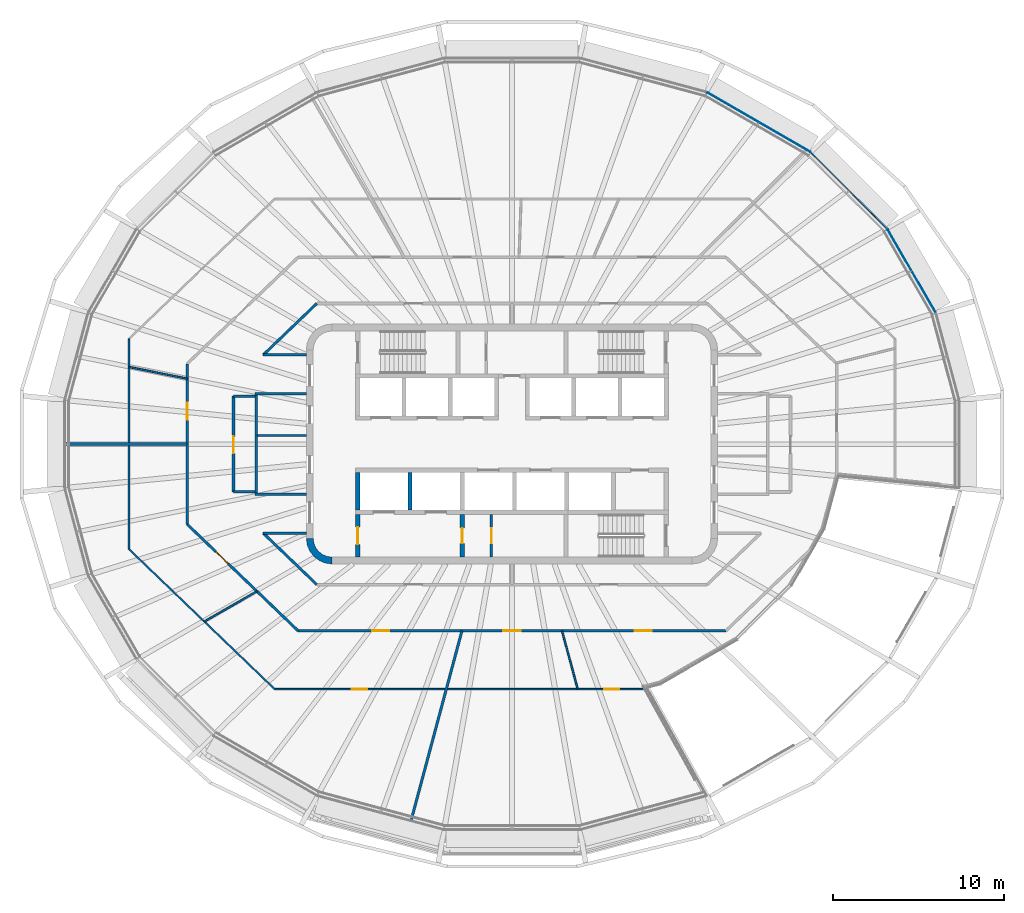
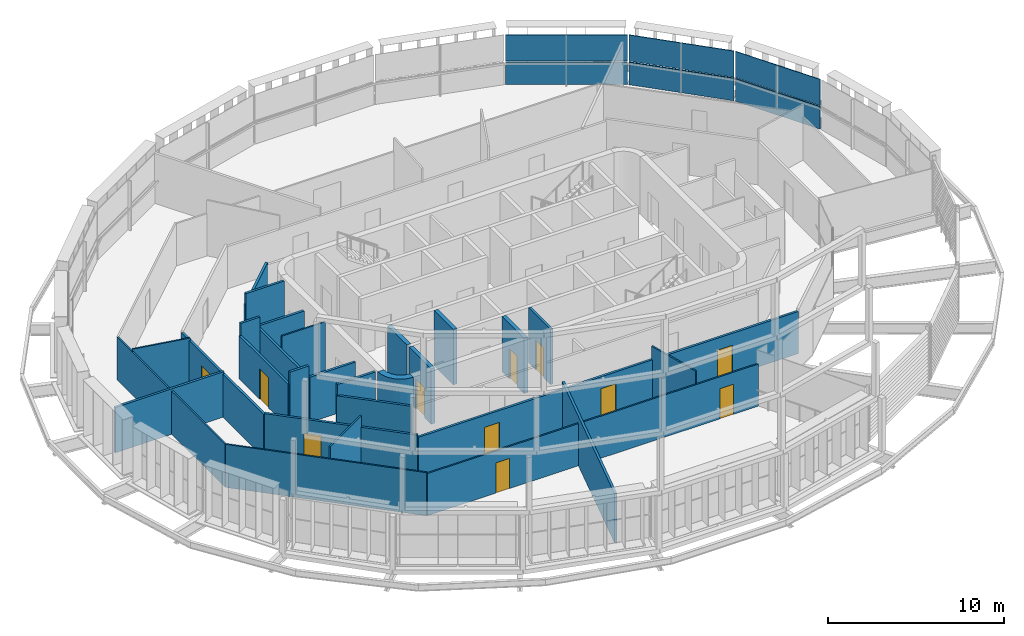
# One storey, part 8 of 18: 28 walls, 11 doors, 6 plates, 11 openings, 3 elements without a shape of their own.
"""IFC4 building model written with IfcOpenShell, lengths in metres."""

import ifcopenshell
import ifcopenshell.guid

model = None  # the IFC model being written
_history = None  # IfcOwnerHistory: only IFC2X3 demands one
_inside = {}  # id of a spatial element -> (the spatial element, [elements in it])
_under = {}  # id of a project, library or spatial element -> (it, [spatial elements below it])
_declared = {}  # id of a project -> (the project, [libraries it declares])
_typed = {}  # id of a type object -> (the type object, [elements of that type])
_made_of = {}  # id of a material, layer set ... -> (it, [elements and type objects made of it])


def new_model(schema):
    """Start an empty IFC model of exactly this schema.

    Asked for "IFC4X3", IfcOpenShell would pick the latest addendum, in which some entities
    have other attributes; the version numbers below select the first issue.
    IFC2X3 requires an IfcOwnerHistory on every rooted entity: one is made here for all.
    """
    global model, _history
    if schema == "IFC4X3":
        model = ifcopenshell.file(schema_version=(4, 3, 0, 0))
    else:
        model = ifcopenshell.file(schema=schema)
    _inside.clear()
    _under.clear()
    _declared.clear()
    _typed.clear()
    _made_of.clear()
    _history = None
    if model.schema == "IFC2X3":
        org = make("IfcOrganization", Name="unknown")
        user = make(
            "IfcPersonAndOrganization",
            ThePerson=make("IfcPerson", FamilyName="unknown"),
            TheOrganization=org,
        )
        app = make(
            "IfcApplication",
            ApplicationDeveloper=org,
            Version="unknown",
            ApplicationFullName="unknown",
            ApplicationIdentifier="unknown",
        )
        _history = make(
            "IfcOwnerHistory",
            OwningUser=user,
            OwningApplication=app,
            ChangeAction="ADDED",
            CreationDate=0,
        )
    return model


def make(cls, **values):
    """One entity of the class cls with the attributes given. An attribute that is None is left unset."""
    return model.create_entity(
        cls, **{name: value for name, value in values.items() if value is not None}
    )


def rooted(cls, **values):
    """An entity with a GlobalId (a new one), such as an element, a storey or a relation."""
    return make(cls, GlobalId=ifcopenshell.guid.new(), OwnerHistory=_history, **values)


def si_unit(unit_type, name, prefix=None):
    """IfcSIUnit, for example si_unit("LENGTHUNIT", "METRE", prefix="MILLI")."""
    return make("IfcSIUnit", UnitType=unit_type, Prefix=prefix, Name=name)


def assignment(units):
    """IfcUnitAssignment: the units of a project."""
    return None if units is None else make("IfcUnitAssignment", Units=units)


def point(xyz):
    """IfcCartesianPoint."""
    return None if xyz is None else make("IfcCartesianPoint", Coordinates=xyz)


def direction(xyz):
    """IfcDirection."""
    return None if xyz is None else make("IfcDirection", DirectionRatios=xyz)


def frame(location, z_axis=None, x_axis=None):
    """IfcAxis2Placement3D, a coordinate frame: its origin and axes. An axis left out is left unset."""
    return make(
        "IfcAxis2Placement3D",
        Location=point(location),
        Axis=direction(z_axis),
        RefDirection=direction(x_axis),
    )


def frame_2d(location, x_axis=None):
    """IfcAxis2Placement2D, a coordinate frame in the plane: its origin and x axis."""
    return make(
        "IfcAxis2Placement2D", Location=point(location), RefDirection=direction(x_axis)
    )


def origin():
    """The frame at (0, 0, 0) with its axes left unset."""
    return frame((0.0, 0.0, 0.0))


def place(relative_to, where):
    """IfcLocalPlacement: puts the frame where relative to a parent placement (None: the world)."""
    return make(
        "IfcLocalPlacement", PlacementRelTo=relative_to, RelativePlacement=where
    )


def context(
    kind, dimensions, precision=None, world=None, true_north=None, identifier=None
):
    """IfcGeometricRepresentationContext, for example the 3D "Model" context."""
    return make(
        "IfcGeometricRepresentationContext",
        ContextIdentifier=identifier,
        ContextType=kind,
        CoordinateSpaceDimension=dimensions,
        Precision=precision,
        WorldCoordinateSystem=world,
        TrueNorth=true_north,
    )


def subcontext(parent, identifier, kind, view, scale=None):
    """IfcGeometricRepresentationSubContext, for example "Body" below "Model"."""
    return make(
        "IfcGeometricRepresentationSubContext",
        ContextIdentifier=identifier,
        ContextType=kind,
        ParentContext=parent,
        TargetScale=scale,
        TargetView=view,
    )


def project(units=None, contexts=None):
    """IfcProject with its units and contexts."""
    return rooted(
        "IfcProject",
        Name="project",
        RepresentationContexts=contexts,
        UnitsInContext=assignment(units),
    )


def spatial(cls, under=None, at=None, **own):
    """A site, building, storey or space (cls), placed at a placement, below another one or the project."""
    s = rooted(cls, ObjectPlacement=at, **own)
    if under is not None:
        _under.setdefault(under.id(), (under, []))[1].append(s)
    return s


def polyline(points):
    """IfcPolyline through the points."""
    return make("IfcPolyline", Points=[point(p) for p in points])


def profile(cls, at=None, kind="AREA", **sizes):
    """A parametric profile (cls). Its sizes go by their IFC names, for example OverallWidth=200.0."""
    return make(cls, ProfileType=kind, Position=at, **sizes)


def rectangle(**sizes):
    """IfcRectangleProfileDef."""
    return profile("IfcRectangleProfileDef", **sizes)


def outline(outer, holes=None, kind="AREA"):
    """IfcArbitraryClosedProfileDef: a profile drawn as a closed curve; with holes, ...WithVoids."""
    if holes is None:
        return make("IfcArbitraryClosedProfileDef", ProfileType=kind, OuterCurve=outer)
    return make(
        "IfcArbitraryProfileDefWithVoids",
        ProfileType=kind,
        OuterCurve=outer,
        InnerCurves=holes,
    )


def extrude(swept, where, along, depth):
    """IfcExtrudedAreaSolid: the profile swept, set in the frame where, extruded along a direction by depth."""
    return make(
        "IfcExtrudedAreaSolid",
        SweptArea=swept,
        Position=where,
        ExtrudedDirection=direction(along),
        Depth=depth,
    )


def shape(context_of_items, identifier, shape_type, items):
    """IfcShapeRepresentation: the items that make up one representation, for example the "Body"."""
    return make(
        "IfcShapeRepresentation",
        ContextOfItems=context_of_items,
        RepresentationIdentifier=identifier,
        RepresentationType=shape_type,
        Items=items,
    )


def material(Name=None, Category=None):
    """IfcMaterial."""
    return make("IfcMaterial", Name=Name, Category=Category)


def layer(
    of_material, thickness, ventilated=None, Name=None, Category=None, Priority=None
):
    """IfcMaterialLayer: one layer of a wall or slab, of a material (None: an air gap)."""
    return make(
        "IfcMaterialLayer",
        Material=of_material,
        LayerThickness=thickness,
        IsVentilated=ventilated,
        Name=Name,
        Category=Category,
        Priority=Priority,
    )


def layer_set(layers, Name=None):
    """IfcMaterialLayerSet."""
    return make("IfcMaterialLayerSet", MaterialLayers=layers, LayerSetName=Name)


def made_of(thing, what):
    """Note that an element or type object is made of a material, layer set ...; save() writes the relation."""
    if what is not None:
        _made_of.setdefault(what.id(), (what, []))[1].append(thing)
    return thing


def type_object(cls, material=None, **own):
    """A type object (cls), such as IfcWallType, which elements share."""
    return made_of(rooted(cls, **own), material)


def element(
    cls,
    number,
    at=None,
    inside=None,
    cuts=None,
    type_object=None,
    material=None,
    context=None,
    identifier="Body",
    shape_type=None,
    held_by="IfcProductDefinitionShape",
    body=None,
    shapes=None,
    **own,
):
    """One element of the class cls, such as IfcWall. Its Tag is "e" and its number.

    at: its placement. inside: the storey or other place that contains it. cuts: it is an
    opening in that element (IfcRelVoidsElement). A single representation is given by context,
    identifier, shape_type and body (its items); several are given by shapes. held_by: the class
    of the entity that holds the representations. save() writes the other relations.
    """
    e = rooted(cls, Tag="e%d" % number, ObjectPlacement=at, **own)
    if body is not None:
        shapes = [shape(context, identifier, shape_type, body)]
    if shapes is not None:
        e.Representation = make(held_by, Representations=shapes)
    if inside is not None:
        _inside.setdefault(inside.id(), (inside, []))[1].append(e)
    if cuts is not None:
        rooted(
            "IfcRelVoidsElement", RelatingBuildingElement=cuts, RelatedOpeningElement=e
        )
    if type_object is not None:
        _typed.setdefault(type_object.id(), (type_object, []))[1].append(e)
    return made_of(e, material)


def fill(opening, filler):
    """IfcRelFillsElement: the door or window that sits in an opening."""
    return rooted(
        "IfcRelFillsElement",
        RelatingOpeningElement=opening,
        RelatedBuildingElement=filler,
    )


def aggregate(whole, parts):
    """IfcRelAggregates: a whole, such as a stair, and the parts it consists of."""
    return rooted("IfcRelAggregates", RelatingObject=whole, RelatedObjects=parts)


def save(model, path):
    """Write the relations noted so far, then the file.

    IfcRelAggregates (storeys below a building ...), IfcRelContainedInSpatialStructure (elements
    in a storey), IfcRelDefinesByType, IfcRelAssociatesMaterial and IfcRelDeclares: one each for
    every whole, place, type object, material and project.
    """
    for whole, parts in _under.values():
        aggregate(whole, parts)
    for where, things in _inside.values():
        rooted(
            "IfcRelContainedInSpatialStructure",
            RelatedElements=things,
            RelatingStructure=where,
        )
    for kind, things in _typed.values():
        rooted("IfcRelDefinesByType", RelatedObjects=things, RelatingType=kind)
    for what, things in _made_of.values():
        rooted("IfcRelAssociatesMaterial", RelatedObjects=things, RelatingMaterial=what)
    for by, libraries in _declared.values():
        rooted("IfcRelDeclares", RelatingContext=by, RelatedDefinitions=libraries)
    model.write(path)


model = new_model("IFC4")

# Units and contexts
model_context = context("Model", 3, precision=1e-05, world=origin(), true_north=direction((0.0, 1.0)))
body_context = subcontext(model_context, "Body", "Model", "MODEL_VIEW")
ifc_project = project(units=[si_unit("LENGTHUNIT", "METRE"), si_unit("AREAUNIT", "SQUARE_METRE"), si_unit("VOLUMEUNIT", "CUBIC_METRE"), si_unit("PLANEANGLEUNIT", "RADIAN"), si_unit("MASSUNIT", "GRAM", prefix="KILO")], contexts=[model_context])

# Site, building, storey
site_placement = place(None, origin())
site = spatial("IfcSite", under=ifc_project, at=site_placement, CompositionType="ELEMENT")
building_placement = place(site_placement, origin())
building = spatial("IfcBuilding", under=site, at=building_placement, Name="Sahrelin Media Tower", CompositionType="ELEMENT")
storey_placement = place(building_placement, frame((0.0, 0.0, 308.39990234375)))
storey = spatial("IfcBuildingStorey", under=building, at=storey_placement, Name="L68", CompositionType="ELEMENT", Elevation=308.39990234375)

# Curtain wall, plate
ifc_material_1 = material(Name="Champagne anodised aluminium 6063-T6", Category="aluminium")
ifc_layer_1 = layer(ifc_material_1, 0.14990234375)
ifc_layer_set_1 = layer_set([ifc_layer_1], Name="Tower ribbon curtain wall")
curtain_wall_type = type_object("IfcCurtainWallType", Name="Tower ribbon curtain wall", PredefinedType="NOTDEFINED", material=ifc_layer_set_1)
curtain_wall_1_placement = place(storey_placement, frame((23.31787109375, 10.11181640625, 0.0), z_axis=(0.0, 0.0, 1.0), x_axis=(1.0, 0.0, 0.0)))
curtain_wall_1 = element("IfcCurtainWall", 1, at=curtain_wall_1_placement, inside=storey, type_object=curtain_wall_type, Name="L68:CW:L68-02", PredefinedType="NOTDEFINED")
ifc_material_2 = material(Name="Clear low-iron glazing", Category="glass")
ifc_layer_2 = layer(ifc_material_2, 0.048095703125)
ifc_layer_set_2 = layer_set([ifc_layer_2], Name="Glazing panel 48 mm CW1C")
plate_type_1 = type_object("IfcPlateType", Name="Glazing panel 48 mm CW1C", PredefinedType="CURTAIN_PANEL", material=ifc_layer_set_2)
plate_1_placement = place(storey_placement, frame((24.726806640625, 7.711669921875, 1.630126953125), z_axis=(0.866021245731, 0.500007201891, 0.0), x_axis=(-0.500007201891, 0.866021245731, 0.0)))
plate_1 = element("IfcPlate", 2, at=plate_1_placement, type_object=plate_type_1, Name="L68:CWP2:L68-02", PredefinedType="CURTAIN_PANEL", context=body_context, shape_type="SweptSolid", body=[
    extrude(outline(polyline([(0.0, 0.0), (5.56640625, 0.0), (5.56640625, 1.818603515625), (0.0, 1.818603515625), (0.0, 0.0)])), origin(), (0.0, 0.0, -1.0), 0.048095703125),
])

curtain_wall_2_placement = place(storey_placement, frame((19.677490234375, 14.789306640625, 0.0), z_axis=(0.0, 0.0, 1.0), x_axis=(1.0, 0.0, 0.0)))
curtain_wall_2 = element("IfcCurtainWall", 3, at=curtain_wall_2_placement, inside=storey, type_object=curtain_wall_type, Name="L68:CW:L68-03", PredefinedType="NOTDEFINED")
plate_2_placement = place(storey_placement, frame((21.880126953125, 12.614990234375, 1.630126953125), z_axis=(0.707106781187, 0.707106781187, 0.0), x_axis=(-0.707106781187, 0.707106781187, 0.0)))
plate_2 = element("IfcPlate", 4, at=plate_2_placement, type_object=plate_type_1, Name="L68:CWP2:L68-03", PredefinedType="CURTAIN_PANEL", context=body_context, shape_type="SweptSolid", body=[
    extrude(outline(polyline([(0.0, 0.0), (6.190185546875, 0.0), (6.190185546875, 1.818603515625), (0.0, 1.818603515625), (0.0, 0.0)])), origin(), (0.0, 0.0, -1.0), 0.048095703125),
])

curtain_wall_3_placement = place(storey_placement, frame((14.408935546875, 18.771240234375, 0.0), z_axis=(0.0, 0.0, 1.0), x_axis=(1.0, 0.0, 0.0)))
curtain_wall_3 = element("IfcCurtainWall", 5, at=curtain_wall_3_placement, inside=storey, type_object=curtain_wall_type, Name="L68:CW:L68-04", PredefinedType="NOTDEFINED")
plate_3_placement = place(storey_placement, frame((17.420166015625, 17.0556640625, 1.630126953125), z_axis=(0.49999178238, 0.866030148178, 0.0), x_axis=(-0.866030148178, 0.49999178238, 0.0)))
plate_3 = element("IfcPlate", 6, at=plate_3_placement, type_object=plate_type_1, Name="L68:CWP2:L68-04", PredefinedType="CURTAIN_PANEL", context=body_context, shape_type="SweptSolid", body=[
    extrude(outline(polyline([(0.0, 0.0), (6.93115234375, 0.0), (6.93115234375, 1.818603515625), (0.0, 1.818603515625), (0.0, 0.0)])), origin(), (0.0, 0.0, -1.0), 0.048095703125),
])

# Plate
ifc_material_3 = material(Name="Insulated spandrel panel")
ifc_layer_3 = layer(ifc_material_3, 0.06005859375)
ifc_layer_set_3 = layer_set([ifc_layer_3], Name="Spandrel panel 60 mm CW1")
plate_type_2 = type_object("IfcPlateType", Name="Spandrel panel 60 mm CW1", PredefinedType="SHEET", material=ifc_layer_set_3)
plate_4_placement = place(storey_placement, frame((24.726806640625, 7.711669921875, 0.0), z_axis=(0.866021245731, 0.500007201891, 0.0), x_axis=(-0.500007201891, 0.866021245731, 0.0)))
plate_4 = element("IfcPlate", 7, at=plate_4_placement, type_object=plate_type_2, Name="L68:CWP1:L68-02", PredefinedType="SHEET", context=body_context, shape_type="SweptSolid", body=[
    extrude(outline(polyline([(0.0, 0.0), (5.56640625, 0.0), (5.56640625, 1.570068359375), (0.0, 1.570068359375), (0.0, 0.0)])), origin(), (0.0, 0.0, -1.0), 0.06005859375),
])

aggregate(curtain_wall_1, [plate_4, plate_1])

plate_5_placement = place(storey_placement, frame((21.880126953125, 12.614990234375, 0.0), z_axis=(0.707106781187, 0.707106781187, 0.0), x_axis=(-0.707106781187, 0.707106781187, 0.0)))
plate_5 = element("IfcPlate", 8, at=plate_5_placement, type_object=plate_type_2, Name="L68:CWP1:L68-03", PredefinedType="SHEET", context=body_context, shape_type="SweptSolid", body=[
    extrude(outline(polyline([(0.0, 0.0), (6.190185546875, 0.0), (6.190185546875, 1.570068359375), (0.0, 1.570068359375), (0.0, 0.0)])), origin(), (0.0, 0.0, -1.0), 0.06005859375),
])

aggregate(curtain_wall_2, [plate_5, plate_2])

plate_6_placement = place(storey_placement, frame((17.420166015625, 17.0556640625, 0.0), z_axis=(0.49999178238, 0.866030148178, 0.0), x_axis=(-0.866030148178, 0.49999178238, 0.0)))
plate_6 = element("IfcPlate", 9, at=plate_6_placement, type_object=plate_type_2, Name="L68:CWP1:L68-04", PredefinedType="SHEET", context=body_context, shape_type="SweptSolid", body=[
    extrude(outline(polyline([(0.0, 0.0), (6.93115234375, 0.0), (6.93115234375, 1.570068359375), (0.0, 1.570068359375), (0.0, 0.0)])), origin(), (0.0, 0.0, -1.0), 0.06005859375),
])

aggregate(curtain_wall_3, [plate_6, plate_3])

# Walls
ifc_material_4 = material(Name="Concrete C60/75", Category="concrete")
ifc_layer_4 = layer(ifc_material_4, 0.39990234375)
ifc_layer_set_4 = layer_set([ifc_layer_4], Name="Core wall 400")
wall_type_1 = type_object("IfcWallType", Name="Core wall 400", PredefinedType="SHEAR", material=ifc_layer_set_4)
wall_1_placement = place(storey_placement, origin())
element("IfcWall", 10, at=wall_1_placement, inside=storey, type_object=wall_type_1, Name="Core wall corner SW L68", PredefinedType="SHEAR", context=body_context, shape_type="SweptSolid", body=[
    extrude(outline(polyline([(-10.5, -7.0), (-10.5, -6.596435546875), (-10.78369140625, -6.55908203125), (-11.04833984375, -6.44970703125), (-11.275390625, -6.275390625), (-11.44970703125, -6.04833984375), (-11.55908203125, -5.78369140625), (-11.596435546875, -5.5), (-12.0, -5.5), (-11.948974609375, -5.88818359375), (-11.799072265625, -6.25), (-11.560791015625, -6.560791015625), (-11.25, -6.799072265625), (-10.88818359375, -6.948974609375), (-10.5, -7.0)])), origin(), (0.0, 0.0, 1.0), 4.0),
])
ifc_material_5 = material(Name="Fire-rated gypsum board partition")
ifc_layer_5 = layer(ifc_material_5, 0.10009765625)
ifc_layer_set_5 = layer_set([ifc_layer_5], Name="Fire-rated partition 100")
wall_type_2 = type_object("IfcWallType", Name="Fire-rated partition 100", PredefinedType="PARTITIONING", material=ifc_layer_set_5)
wall_2_placement = place(storey_placement, frame((-14.85009765625, 0.5, 0.0), z_axis=(0.0, 0.0, 1.0), x_axis=(1.0, 0.0, 0.0)))
element("IfcWall", 11, at=wall_2_placement, inside=storey, type_object=wall_type_2, Name="Core room partition", PredefinedType="PARTITIONING", context=body_context, shape_type="SweptSolid", body=[
    extrude(rectangle(XDim=2.85009765625, YDim=0.10009765625, at=frame_2d((1.425048828125, 0.0))), origin(), (0.0, 0.0, 1.0), 3.85009765625),
])

# Wall, opening, door
ifc_layer_6 = layer(ifc_material_5, 0.14990234375)
ifc_layer_set_6 = layer_set([ifc_layer_6], Name="Fire-rated partition 150")
wall_type_3 = type_object("IfcWallType", Name="Fire-rated partition 150", PredefinedType="PARTITIONING", material=ifc_layer_set_6)
wall_3_placement = place(storey_placement, frame((-1.199951171875, -6.60009765625, 0.0), z_axis=(0.0, 0.0, 1.0), x_axis=(0.0, 1.0, 0.0)))
wall_3 = element("IfcWall", 12, at=wall_3_placement, inside=storey, type_object=wall_type_3, Name="Core room fire partition", PredefinedType="PARTITIONING", context=body_context, shape_type="SweptSolid", body=[
    extrude(rectangle(XDim=2.5, YDim=0.14990234375, at=frame_2d((1.25, 0.0))), origin(), (0.0, 0.0, 1.0), 3.85009765625),
])
opening_1_placement = place(wall_3_placement, frame((0.800048828125, 0.0, 0.0)))
opening_1 = element("IfcOpeningElement", 13, at=opening_1_placement, cuts=wall_3, Name="Opening L68-D08", PredefinedType="OPENING", context=body_context, shape_type="SweptSolid", body=[
    extrude(rectangle(XDim=0.89990234375, YDim=2.10009765625, at=frame_2d((0.449951171875, 1.050048828125))), frame((0.0, 0.074951171875, 0.0), z_axis=(0.0, -1.0, 0.0), x_axis=(1.0, 0.0, 0.0)), (0.0, 0.0, 1.0), 0.14990234375),
])
ifc_material_6 = material(Name="Steel fire door leaf", Category="steel")
door_type_1 = type_object("IfcDoorType", Name="Fire door 900 x 2100 EI 60", OperationType="NOTDEFINED", PredefinedType="DOOR", material=ifc_material_6)
door_1_placement = place(opening_1_placement, origin())
door_1 = element("IfcDoor", 14, at=door_1_placement, inside=storey, type_object=door_type_1, Name="Core room door", OperationType="SINGLE_SWING_RIGHT", OverallHeight=2.10009765625, OverallWidth=0.89990234375, PredefinedType="DOOR", context=body_context, shape_type="SweptSolid", body=[
    extrude(rectangle(XDim=0.89990234375, YDim=2.10009765625, at=frame_2d((0.449951171875, 1.050048828125))), frame((0.0, 0.02490234375, 0.0), z_axis=(0.0, -1.0, 0.0), x_axis=(1.0, 0.0, 0.0)), (0.0, 0.0, 1.0), 0.050048828125),
])
fill(opening_1, door_1)

# Walls
wall_4_placement = place(storey_placement, frame((-14.925048828125, -2.85009765625, 0.0), z_axis=(0.0, 0.0, 1.0), x_axis=(0.0, 1.0, 0.0)))
element("IfcWall", 15, at=wall_4_placement, inside=storey, type_object=wall_type_3, Name="Core room fire partition", PredefinedType="PARTITIONING", context=body_context, shape_type="SweptSolid", body=[
    extrude(rectangle(XDim=5.7001953125, YDim=0.14990234375, at=frame_2d((2.85009765625, 0.0))), origin(), (0.0, 0.0, 1.0), 2.995361328125),
])
for number, where, z_axis, x_axis, name in (
    (16, (-15.0, 2.925048828125, 0.0), (0.0, 0.0, 1.0), (1.0, 0.0, 0.0), "Core room fire partition"),
    (17, (-15.0, -2.925048828125, 0.0), (0.0, 0.0, 1.0), (1.0, 0.0, 0.0), "Core room fire partition"),
):
    element("IfcWall", number, at=place(storey_placement, frame(where, z_axis=z_axis, x_axis=x_axis)), inside=storey, type_object=wall_type_3, Name=name, PredefinedType="PARTITIONING", context=body_context, shape_type="SweptSolid", body=[
        extrude(rectangle(XDim=3.0, YDim=0.14990234375, at=frame_2d((1.5, 0.0))), origin(), (0.0, 0.0, 1.0), 3.152099609375),
    ])

# Wall, opening, door
wall_5_placement = place(storey_placement, frame((-18.949951171875, -4.68310546875, 0.0), z_axis=(0.0, 0.0, 1.0), x_axis=(0.721259541977, -0.692664906797, 0.0)))
wall_5 = element("IfcWall", 18, at=wall_5_placement, inside=storey, type_object=wall_type_3, Name="Wall", PredefinedType="PARTITIONING", context=body_context, shape_type="SweptSolid", body=[
    extrude(rectangle(XDim=8.973388671875, YDim=0.14990234375, at=frame_2d((4.48681640625, 0.0))), origin(), (0.0, 0.0, 1.0), 3.076171875),
])
opening_2_placement = place(wall_5_placement, frame((2.3212890625, 0.0, 0.0)))
opening_2 = element("IfcOpeningElement", 19, at=opening_2_placement, cuts=wall_5, Name="Opening L68-D32", PredefinedType="OPENING", context=body_context, shape_type="SweptSolid", body=[
    extrude(rectangle(XDim=1.0, YDim=2.10009765625, at=frame_2d((0.5, 1.050048828125))), frame((0.0, 0.074951171875, 0.0), z_axis=(0.0, -1.0, 0.0), x_axis=(1.0, 0.0, 0.0)), (0.0, 0.0, 1.0), 0.14990234375),
])
door_type_2 = type_object("IfcDoorType", Name="Fire door 1000 x 2100 EI 60", OperationType="NOTDEFINED", PredefinedType="DOOR", material=ifc_material_6)
door_2_placement = place(opening_2_placement, origin())
door_2 = element("IfcDoor", 20, at=door_2_placement, inside=storey, type_object=door_type_2, Name="Fire door", OperationType="SINGLE_SWING_RIGHT", OverallHeight=2.10009765625, OverallWidth=1.0, PredefinedType="DOOR", context=body_context, shape_type="SweptSolid", body=[
    extrude(rectangle(XDim=1.0, YDim=2.10009765625, at=frame_2d((0.5, 1.050048828125))), frame((0.0, 0.02490234375, 0.0), z_axis=(0.0, -1.0, 0.0), x_axis=(1.0, 0.0, 0.0)), (0.0, 0.0, 1.0), 0.050048828125),
])
fill(opening_2, door_2)

# Wall
wall_6_placement = place(storey_placement, frame((-14.513916015625, -5.199951171875, 0.0), z_axis=(0.0, 0.0, 1.0), x_axis=(0.721228427004, -0.692697304803, 0.0)))
element("IfcWall", 21, at=wall_6_placement, inside=storey, type_object=wall_type_3, Name="Wall", PredefinedType="PARTITIONING", context=body_context, shape_type="SweptSolid", body=[
    extrude(rectangle(XDim=4.329833984375, YDim=0.14990234375, at=frame_2d((2.1650390625, 0.0))), origin(), (0.0, 0.0, 1.0), 3.076171875),
])

# Wall, openings, doors
wall_7_placement = place(storey_placement, frame((-12.47802734375, -10.89892578125, 0.0), z_axis=(0.0, 0.0, 1.0), x_axis=(1.0, 0.0, 0.0)))
wall_7 = element("IfcWall", 22, at=wall_7_placement, inside=storey, type_object=wall_type_3, Name="Wall", PredefinedType="PARTITIONING", context=body_context, shape_type="SweptSolid", body=[
    extrude(rectangle(XDim=24.9560546875, YDim=0.14990234375, at=frame_2d((12.47802734375, 0.0))), origin(), (0.0, 0.0, 1.0), 2.927001953125),
])
opening_3_placement = place(wall_7_placement, frame((4.328857421875, 0.0, 0.0)))
opening_3 = element("IfcOpeningElement", 23, at=opening_3_placement, cuts=wall_7, Name="Opening L68-D33", PredefinedType="OPENING", context=body_context, shape_type="SweptSolid", body=[
    extrude(rectangle(XDim=1.0, YDim=2.10009765625, at=frame_2d((0.5, 1.050048828125))), frame((0.0, 0.074951171875, 0.0), z_axis=(0.0, -1.0, 0.0), x_axis=(1.0, 0.0, 0.0)), (0.0, 0.0, 1.0), 0.14990234375),
])
opening_4_placement = place(wall_7_placement, frame((11.9775390625, 0.0, 0.0)))
opening_4 = element("IfcOpeningElement", 24, at=opening_4_placement, cuts=wall_7, Name="Opening L68-D35", PredefinedType="OPENING", context=body_context, shape_type="SweptSolid", body=[
    extrude(rectangle(XDim=1.0, YDim=2.10009765625, at=frame_2d((0.5, 1.050048828125))), frame((0.0, 0.074951171875, 0.0), z_axis=(0.0, -1.0, 0.0), x_axis=(1.0, 0.0, 0.0)), (0.0, 0.0, 1.0), 0.14990234375),
])
opening_5_placement = place(wall_7_placement, frame((19.626708984375, 0.0, 0.0)))
opening_5 = element("IfcOpeningElement", 25, at=opening_5_placement, cuts=wall_7, Name="Opening L68-D36", PredefinedType="OPENING", context=body_context, shape_type="SweptSolid", body=[
    extrude(rectangle(XDim=1.0, YDim=2.10009765625, at=frame_2d((0.5, 1.050048828125))), frame((0.0, 0.074951171875, 0.0), z_axis=(0.0, -1.0, 0.0), x_axis=(1.0, 0.0, 0.0)), (0.0, 0.0, 1.0), 0.14990234375),
])
door_3_placement = place(opening_3_placement, origin())
door_3 = element("IfcDoor", 26, at=door_3_placement, inside=storey, type_object=door_type_2, Name="Fire door", OperationType="SINGLE_SWING_RIGHT", OverallHeight=2.10009765625, OverallWidth=1.0, PredefinedType="DOOR", context=body_context, shape_type="SweptSolid", body=[
    extrude(rectangle(XDim=1.0, YDim=2.10009765625, at=frame_2d((0.5, 1.050048828125))), frame((0.0, 0.02490234375, 0.0), z_axis=(0.0, -1.0, 0.0), x_axis=(1.0, 0.0, 0.0)), (0.0, 0.0, 1.0), 0.050048828125),
])
fill(opening_3, door_3)
door_4_placement = place(opening_4_placement, origin())
door_4 = element("IfcDoor", 27, at=door_4_placement, inside=storey, type_object=door_type_2, Name="Fire door", OperationType="SINGLE_SWING_LEFT", OverallHeight=2.10009765625, OverallWidth=1.0, PredefinedType="DOOR", context=body_context, shape_type="SweptSolid", body=[
    extrude(rectangle(XDim=1.0, YDim=2.10009765625, at=frame_2d((0.5, 1.050048828125))), frame((0.0, 0.02490234375, 0.0), z_axis=(0.0, -1.0, 0.0), x_axis=(1.0, 0.0, 0.0)), (0.0, 0.0, 1.0), 0.050048828125),
])
fill(opening_4, door_4)
door_5_placement = place(opening_5_placement, origin())
door_5 = element("IfcDoor", 28, at=door_5_placement, inside=storey, type_object=door_type_2, Name="Fire door", OperationType="SINGLE_SWING_LEFT", OverallHeight=2.10009765625, OverallWidth=1.0, PredefinedType="DOOR", context=body_context, shape_type="SweptSolid", body=[
    extrude(rectangle(XDim=1.0, YDim=2.10009765625, at=frame_2d((0.5, 1.050048828125))), frame((0.0, 0.02490234375, 0.0), z_axis=(0.0, -1.0, 0.0), x_axis=(1.0, 0.0, 0.0)), (0.0, 0.0, 1.0), 0.050048828125),
])
fill(opening_5, door_5)

# Walls
wall_8_placement = place(storey_placement, frame((-14.513916015625, -5.199951171875, 0.0), z_axis=(0.0, 0.0, 1.0), x_axis=(1.0, 0.0, 0.0)))
element("IfcWall", 29, at=wall_8_placement, inside=storey, type_object=wall_type_3, Name="Wall", PredefinedType="PARTITIONING", context=body_context, shape_type="SweptSolid", body=[
    extrude(rectangle(XDim=2.513916015625, YDim=0.14990234375, at=frame_2d((1.2568359375, 0.0))), origin(), (0.0, 0.0, 1.0), 3.85009765625),
])
wall_9_placement = place(storey_placement, frame((-16.25, -2.7900390625, 0.0), z_axis=(0.0, 0.0, 1.0), x_axis=(1.0, 0.0, 0.0)))
element("IfcWall", 30, at=wall_9_placement, inside=storey, type_object=wall_type_3, Name="Wall", PredefinedType="PARTITIONING", context=body_context, shape_type="SweptSolid", body=[
    extrude(rectangle(XDim=1.25, YDim=0.14990234375, at=frame_2d((0.625, 0.0))), origin(), (0.0, 0.0, 1.0), 3.85009765625),
])
wall_10_placement = place(storey_placement, frame((-26.097900390625, 0.0, 0.0), z_axis=(0.0, 0.0, 1.0), x_axis=(1.0, 0.0, 0.0)))
element("IfcWall", 31, at=wall_10_placement, inside=storey, type_object=wall_type_3, Name="Wall", PredefinedType="PARTITIONING", context=body_context, shape_type="SweptSolid", body=[
    extrude(rectangle(XDim=7.14794921875, YDim=0.14990234375, at=frame_2d((3.573974609375, 0.0))), origin(), (0.0, 0.0, 1.0), 3.152099609375),
])
wall_11_placement = place(storey_placement, frame((-16.25, 2.7900390625, 0.0), z_axis=(0.0, 0.0, 1.0), x_axis=(1.0, 0.0, 0.0)))
element("IfcWall", 32, at=wall_11_placement, inside=storey, type_object=wall_type_3, Name="Wall", PredefinedType="PARTITIONING", context=body_context, shape_type="SweptSolid", body=[
    extrude(rectangle(XDim=1.25, YDim=0.14990234375, at=frame_2d((0.625, 0.0))), origin(), (0.0, 0.0, 1.0), 3.85009765625),
])
wall_12_placement = place(storey_placement, frame((-14.513916015625, 5.199951171875, 0.0), z_axis=(0.0, 0.0, 1.0), x_axis=(1.0, 0.0, 0.0)))
element("IfcWall", 33, at=wall_12_placement, inside=storey, type_object=wall_type_3, Name="Wall", PredefinedType="PARTITIONING", context=body_context, shape_type="SweptSolid", body=[
    extrude(rectangle(XDim=2.513916015625, YDim=0.14990234375, at=frame_2d((1.2568359375, 0.0))), origin(), (0.0, 0.0, 1.0), 3.85009765625),
])
wall_13_placement = place(storey_placement, frame((-14.513916015625, 5.199951171875, 0.0), z_axis=(0.0, 0.0, 1.0), x_axis=(0.721228427004, 0.692697304803, 0.0)))
element("IfcWall", 34, at=wall_13_placement, inside=storey, type_object=wall_type_3, Name="Wall", PredefinedType="PARTITIONING", context=body_context, shape_type="SweptSolid", body=[
    extrude(rectangle(XDim=4.329833984375, YDim=0.14990234375, at=frame_2d((2.1650390625, 0.0))), origin(), (0.0, 0.0, 1.0), 3.076171875),
])
wall_14_placement = place(storey_placement, frame((-5.89404296875, -21.9951171875, 0.0), z_axis=(0.0, 0.0, 1.0), x_axis=(0.25881327894, 0.965927371309, 0.0)))
element("IfcWall", 35, at=wall_14_placement, inside=storey, type_object=wall_type_3, Name="Wall", PredefinedType="PARTITIONING", context=body_context, shape_type="SweptSolid", body=[
    extrude(rectangle(XDim=11.487548828125, YDim=0.14990234375, at=frame_2d((5.74365234375, 0.0))), origin(), (0.0, 0.0, 1.0), 3.423583984375),
])

# Wall, opening, door
wall_15_placement = place(storey_placement, frame((-16.25, -2.7900390625, 0.0), z_axis=(0.0, 0.0, 1.0), x_axis=(0.0, 1.0, 0.0)))
wall_15 = element("IfcWall", 36, at=wall_15_placement, inside=storey, type_object=wall_type_3, Name="Wall", PredefinedType="PARTITIONING", context=body_context, shape_type="SweptSolid", body=[
    extrude(rectangle(XDim=5.580078125, YDim=0.14990234375, at=frame_2d((2.7900390625, 0.0))), origin(), (0.0, 0.0, 1.0), 2.995361328125),
])
opening_6_placement = place(wall_15_placement, frame((2.23876953125, 0.0, 0.0)))
opening_6 = element("IfcOpeningElement", 37, at=opening_6_placement, cuts=wall_15, Name="Opening L68-D23", PredefinedType="OPENING", context=body_context, shape_type="SweptSolid", body=[
    extrude(rectangle(XDim=1.0, YDim=2.10009765625, at=frame_2d((0.5, 1.050048828125))), frame((0.0, 0.074951171875, 0.0), z_axis=(0.0, -1.0, 0.0), x_axis=(1.0, 0.0, 0.0)), (0.0, 0.0, 1.0), 0.14990234375),
])
door_6_placement = place(opening_6_placement, origin())
door_6 = element("IfcDoor", 38, at=door_6_placement, inside=storey, type_object=door_type_2, Name="Fire door", OperationType="SINGLE_SWING_LEFT", OverallHeight=2.10009765625, OverallWidth=1.0, PredefinedType="DOOR", context=body_context, shape_type="SweptSolid", body=[
    extrude(rectangle(XDim=1.0, YDim=2.10009765625, at=frame_2d((0.5, 1.050048828125))), frame((0.0, 0.02490234375, 0.0), z_axis=(0.0, -1.0, 0.0), x_axis=(1.0, 0.0, 0.0)), (0.0, 0.0, 1.0), 0.050048828125),
])
fill(opening_6, door_6)

wall_16_placement = place(storey_placement, frame((-18.949951171875, -4.68310546875, 0.0), z_axis=(0.0, 0.0, 1.0), x_axis=(0.0, 1.0, 0.0)))
wall_16 = element("IfcWall", 39, at=wall_16_placement, inside=storey, type_object=wall_type_3, Name="Wall", PredefinedType="PARTITIONING", context=body_context, shape_type="SweptSolid", body=[
    extrude(rectangle(XDim=9.3662109375, YDim=0.14990234375, at=frame_2d((4.68310546875, 0.0))), origin(), (0.0, 0.0, 1.0), 2.995361328125),
])
opening_7_placement = place(wall_16_placement, frame((6.087890625, 0.0, 0.0)))
opening_7 = element("IfcOpeningElement", 40, at=opening_7_placement, cuts=wall_16, Name="Opening L68-D30", PredefinedType="OPENING", context=body_context, shape_type="SweptSolid", body=[
    extrude(rectangle(XDim=1.0, YDim=2.10009765625, at=frame_2d((0.5, 1.050048828125))), frame((0.0, 0.074951171875, 0.0), z_axis=(0.0, -1.0, 0.0), x_axis=(1.0, 0.0, 0.0)), (0.0, 0.0, 1.0), 0.14990234375),
])
door_7_placement = place(opening_7_placement, origin())
door_7 = element("IfcDoor", 41, at=door_7_placement, inside=storey, type_object=door_type_2, Name="Fire door", OperationType="SINGLE_SWING_RIGHT", OverallHeight=2.10009765625, OverallWidth=1.0, PredefinedType="DOOR", context=body_context, shape_type="SweptSolid", body=[
    extrude(rectangle(XDim=1.0, YDim=2.10009765625, at=frame_2d((0.5, 1.050048828125))), frame((0.0, 0.02490234375, 0.0), z_axis=(0.0, -1.0, 0.0), x_axis=(1.0, 0.0, 0.0)), (0.0, 0.0, 1.0), 0.050048828125),
])
fill(opening_7, door_7)

ifc_layer_7 = layer(ifc_material_5, 0.25)
ifc_layer_set_7 = layer_set([ifc_layer_7], Name="Firefighting lobby wall 250")
wall_type_4 = type_object("IfcWallType", Name="Firefighting lobby wall 250", PredefinedType="PARTITIONING", material=ifc_layer_set_7)
wall_17_placement = place(storey_placement, frame((-9.0, -6.60009765625, 0.0), z_axis=(0.0, 0.0, 1.0), x_axis=(0.0, 1.0, 0.0)))
wall_17 = element("IfcWall", 42, at=wall_17_placement, inside=storey, type_object=wall_type_4, Name="Core wall", PredefinedType="PARTITIONING", context=body_context, shape_type="SweptSolid", body=[
    extrude(rectangle(XDim=2.5, YDim=0.25, at=frame_2d((1.25, 0.0))), origin(), (0.0, 0.0, 1.0), 3.85009765625),
])
opening_8_placement = place(wall_17_placement, frame((0.75, 0.0, 0.0)))
opening_8 = element("IfcOpeningElement", 43, at=opening_8_placement, cuts=wall_17, Name="Opening L68-D04", PredefinedType="OPENING", context=body_context, shape_type="SweptSolid", body=[
    extrude(rectangle(XDim=1.0, YDim=2.10009765625, at=frame_2d((0.5, 1.050048828125))), frame((0.0, 0.125, 0.0), z_axis=(0.0, -1.0, 0.0), x_axis=(1.0, 0.0, 0.0)), (0.0, 0.0, 1.0), 0.25),
])
door_type_3 = type_object("IfcDoorType", Name="Firefighting lobby door 1000 x 2100 EI 120", OperationType="NOTDEFINED", PredefinedType="DOOR", material=ifc_material_6)
door_8_placement = place(opening_8_placement, origin())
door_8 = element("IfcDoor", 44, at=door_8_placement, inside=storey, type_object=door_type_3, Name="Firefighting lobby door", OperationType="SINGLE_SWING_LEFT", OverallHeight=2.10009765625, OverallWidth=1.0, PredefinedType="DOOR", context=body_context, shape_type="SweptSolid", body=[
    extrude(rectangle(XDim=1.0, YDim=2.10009765625, at=frame_2d((0.5, 1.050048828125))), frame((0.0, 0.02490234375, 0.0), z_axis=(0.0, -1.0, 0.0), x_axis=(1.0, 0.0, 0.0)), (0.0, 0.0, 1.0), 0.050048828125),
])
fill(opening_8, door_8)

wall_18_placement = place(storey_placement, frame((-2.89990234375, -6.60009765625, 0.0), z_axis=(0.0, 0.0, 1.0), x_axis=(0.0, 1.0, 0.0)))
wall_18 = element("IfcWall", 45, at=wall_18_placement, inside=storey, type_object=wall_type_4, Name="Core wall", PredefinedType="PARTITIONING", context=body_context, shape_type="SweptSolid", body=[
    extrude(rectangle(XDim=2.5, YDim=0.25, at=frame_2d((1.25, 0.0))), origin(), (0.0, 0.0, 1.0), 3.85009765625),
])
opening_9_placement = place(wall_18_placement, frame((0.800048828125, 0.0, 0.0)))
opening_9 = element("IfcOpeningElement", 46, at=opening_9_placement, cuts=wall_18, Name="Opening L68-D05", PredefinedType="OPENING", context=body_context, shape_type="SweptSolid", body=[
    extrude(rectangle(XDim=0.89990234375, YDim=2.10009765625, at=frame_2d((0.449951171875, 1.050048828125))), frame((0.0, 0.125, 0.0), z_axis=(0.0, -1.0, 0.0), x_axis=(1.0, 0.0, 0.0)), (0.0, 0.0, 1.0), 0.25),
])
door_type_4 = type_object("IfcDoorType", Name="Firefighting lobby door 900 x 2100 EI 120", OperationType="NOTDEFINED", PredefinedType="DOOR", material=ifc_material_6)
door_9_placement = place(opening_9_placement, origin())
door_9 = element("IfcDoor", 47, at=door_9_placement, inside=storey, type_object=door_type_4, Name="Riser door", OperationType="SINGLE_SWING_RIGHT", OverallHeight=2.10009765625, OverallWidth=0.89990234375, PredefinedType="DOOR", context=body_context, shape_type="SweptSolid", body=[
    extrude(rectangle(XDim=0.89990234375, YDim=2.10009765625, at=frame_2d((0.449951171875, 1.050048828125))), frame((0.0, 0.02490234375, 0.0), z_axis=(0.0, -1.0, 0.0), x_axis=(1.0, 0.0, 0.0)), (0.0, 0.0, 1.0), 0.050048828125),
])
fill(opening_9, door_9)

# Walls
ifc_layer_8 = layer(ifc_material_4, 0.25)
ifc_layer_set_8 = layer_set([ifc_layer_8], Name="Lift shaft wall 250")
wall_type_5 = type_object("IfcWallType", Name="Lift shaft wall 250", PredefinedType="SOLIDWALL", material=ifc_layer_set_8)
for number, where, z_axis, x_axis, name in (
    (48, (-9.0, -3.85009765625, 0.0), (0.0, 0.0, 1.0), (0.0, 1.0, 0.0), "Lift shaft wall"),
    (49, (-5.949951171875, -3.85009765625, 0.0), (0.0, 0.0, 1.0), (0.0, 1.0, 0.0), "Lift shaft wall"),
):
    element("IfcWall", number, at=place(storey_placement, frame(where, z_axis=z_axis, x_axis=x_axis)), inside=storey, type_object=wall_type_5, Name=name, PredefinedType="SOLIDWALL", context=body_context, shape_type="SweptSolid", body=[
        extrude(rectangle(XDim=2.2001953125, YDim=0.25, at=frame_2d((1.10009765625, 0.0))), origin(), (0.0, 0.0, 1.0), 3.85009765625),
    ])
ifc_material_7 = material(Name="Gypsum board partition")
ifc_layer_9 = layer(ifc_material_7, 0.10009765625)
ifc_layer_set_9 = layer_set([ifc_layer_9], Name="Partition 100")
wall_type_6 = type_object("IfcWallType", Name="Partition 100", PredefinedType="PARTITIONING", material=ifc_layer_set_9)
wall_19_placement = place(storey_placement, frame((2.919921875, -10.89892578125, 0.0), z_axis=(0.0, 0.0, 1.0), x_axis=(0.258836620112, -0.965921116908, 0.0)))
element("IfcWall", 50, at=wall_19_placement, inside=storey, type_object=wall_type_6, Name="Wall", PredefinedType="PARTITIONING", context=body_context, shape_type="SweptSolid", body=[
    extrude(rectangle(XDim=3.52001953125, YDim=0.10009765625, at=frame_2d((1.760009765625, 0.0))), origin(), (0.0, 0.0, 1.0), 3.85009765625),
])
wall_20_placement = place(storey_placement, frame((-22.349853515625, -6.1318359375, 0.0), z_axis=(0.0, 0.0, 1.0), x_axis=(0.72117874289, -0.692749031615, 0.0)))
element("IfcWall", 51, at=wall_20_placement, inside=storey, type_object=wall_type_6, Name="Wall", PredefinedType="PARTITIONING", context=body_context, shape_type="SweptSolid", body=[
    extrude(rectangle(XDim=11.790771484375, YDim=0.10009765625, at=frame_2d((5.8955078125, 0.0))), origin(), (0.0, 0.0, 1.0), 2.995361328125),
])
wall_21_placement = place(storey_placement, frame((-22.35009765625, 4.493896484375, 0.0), z_axis=(0.0, 0.0, 1.0), x_axis=(0.980368926978, -0.197171922486, 0.0)))
element("IfcWall", 52, at=wall_21_placement, inside=storey, type_object=wall_type_6, Name="Wall", PredefinedType="PARTITIONING", context=body_context, shape_type="SweptSolid", body=[
    extrude(rectangle(XDim=3.46826171875, YDim=0.10009765625, at=frame_2d((1.734130859375, 0.0))), origin(), (0.0, 0.0, 1.0), 3.152099609375),
])

# Wall, openings, doors
wall_22_placement = place(storey_placement, frame((-13.845947265625, -14.299072265625, 0.0), z_axis=(0.0, 0.0, 1.0), x_axis=(1.0, 0.0, 0.0)))
wall_22 = element("IfcWall", 53, at=wall_22_placement, inside=storey, type_object=wall_type_6, Name="Wall", PredefinedType="PARTITIONING", context=body_context, shape_type="SweptSolid", body=[
    extrude(rectangle(XDim=21.761962890625, YDim=0.10009765625, at=frame_2d((10.880859375, 0.0))), origin(), (0.0, 0.0, 1.0), 2.927001953125),
])
opening_10_placement = place(wall_22_placement, frame((4.5068359375, 0.0, 0.0)))
opening_10 = element("IfcOpeningElement", 54, at=opening_10_placement, cuts=wall_22, Name="Opening L68-D34", PredefinedType="OPENING", context=body_context, shape_type="SweptSolid", body=[
    extrude(rectangle(XDim=0.89990234375, YDim=2.10009765625, at=frame_2d((0.449951171875, 1.050048828125))), frame((0.0, 0.050048828125, 0.0), z_axis=(0.0, -1.0, 0.0), x_axis=(1.0, 0.0, 0.0)), (0.0, 0.0, 1.0), 0.10009765625),
])
opening_11_placement = place(wall_22_placement, frame((19.21728515625, 0.0, 0.0)))
opening_11 = element("IfcOpeningElement", 55, at=opening_11_placement, cuts=wall_22, Name="Opening L68-D37", PredefinedType="OPENING", context=body_context, shape_type="SweptSolid", body=[
    extrude(rectangle(XDim=0.89990234375, YDim=2.10009765625, at=frame_2d((0.449951171875, 1.050048828125))), frame((0.0, 0.050048828125, 0.0), z_axis=(0.0, -1.0, 0.0), x_axis=(1.0, 0.0, 0.0)), (0.0, 0.0, 1.0), 0.10009765625),
])
ifc_material_8 = material(Name="Timber door leaf", Category="wood")
door_type_5 = type_object("IfcDoorType", Name="Single door 900 x 2100", OperationType="NOTDEFINED", PredefinedType="DOOR", material=ifc_material_8)
door_10_placement = place(opening_10_placement, origin())
door_10 = element("IfcDoor", 56, at=door_10_placement, inside=storey, type_object=door_type_5, Name="Single door", OperationType="SINGLE_SWING_RIGHT", OverallHeight=2.10009765625, OverallWidth=0.89990234375, PredefinedType="DOOR", context=body_context, shape_type="SweptSolid", body=[
    extrude(rectangle(XDim=0.89990234375, YDim=2.10009765625, at=frame_2d((0.449951171875, 1.050048828125))), frame((0.0, 0.02490234375, 0.0), z_axis=(0.0, -1.0, 0.0), x_axis=(1.0, 0.0, 0.0)), (0.0, 0.0, 1.0), 0.050048828125),
])
fill(opening_10, door_10)
door_11_placement = place(opening_11_placement, origin())
door_11 = element("IfcDoor", 57, at=door_11_placement, inside=storey, type_object=door_type_5, Name="Single door", OperationType="SINGLE_SWING_LEFT", OverallHeight=2.10009765625, OverallWidth=0.89990234375, PredefinedType="DOOR", context=body_context, shape_type="SweptSolid", body=[
    extrude(rectangle(XDim=0.89990234375, YDim=2.10009765625, at=frame_2d((0.449951171875, 1.050048828125))), frame((0.0, 0.02490234375, 0.0), z_axis=(0.0, -1.0, 0.0), x_axis=(1.0, 0.0, 0.0)), (0.0, 0.0, 1.0), 0.050048828125),
])
fill(opening_11, door_11)

# Walls
wall_23_placement = place(storey_placement, frame((-17.946044921875, -10.361083984375, 0.0), z_axis=(0.0, 0.0, 1.0), x_axis=(0.865967311171, 0.500100605862, 0.0)))
element("IfcWall", 58, at=wall_23_placement, inside=storey, type_object=wall_type_6, Name="Wall", PredefinedType="PARTITIONING", context=body_context, shape_type="SweptSolid", body=[
    extrude(rectangle(XDim=3.539306640625, YDim=0.10009765625, at=frame_2d((1.76953125, 0.0))), origin(), (0.0, 0.0, 1.0), 3.85009765625),
])
wall_24_placement = place(storey_placement, frame((-22.35009765625, -6.132080078125, 0.0), z_axis=(0.0, 0.0, 1.0), x_axis=(0.0, 1.0, 0.0)))
element("IfcWall", 59, at=wall_24_placement, inside=storey, type_object=wall_type_6, Name="Wall", PredefinedType="PARTITIONING", context=body_context, shape_type="SweptSolid", body=[
    extrude(rectangle(XDim=12.26416015625, YDim=0.10009765625, at=frame_2d((6.132080078125, 0.0))), origin(), (0.0, 0.0, 1.0), 2.995361328125),
])

save(model, "model.ifc")
